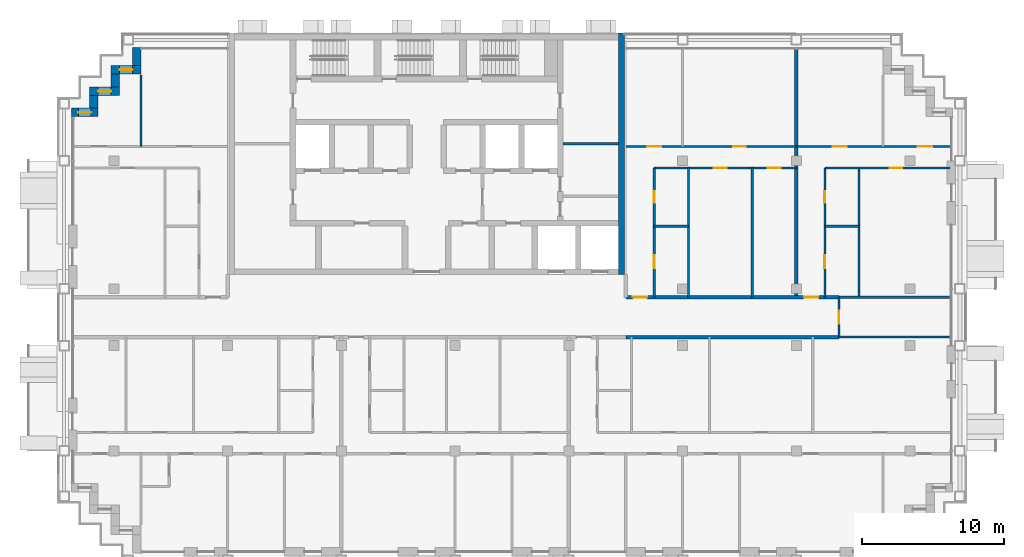
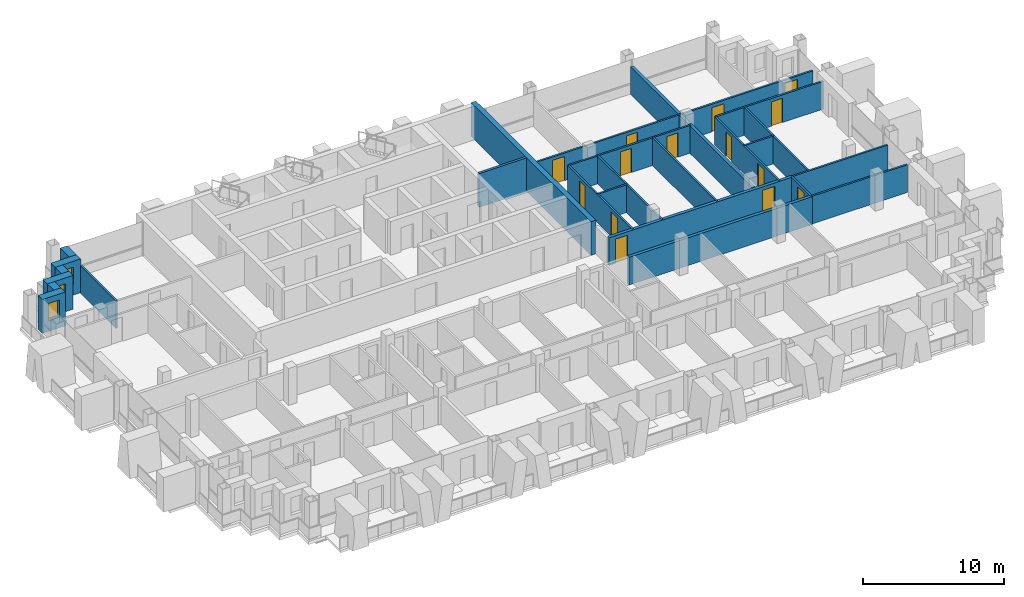
# One storey, part 11 of 16: 26 walls, 14 doors, 3 windows, 17 openings.
"""IFC4 building model written with IfcOpenShell, lengths in metres."""

from ifc_helpers import new_model, si_unit, direction, frame, frame_2d, origin, place, context, subcontext, project, spatial, rectangle, extrude, material, layer, layer_set, type_object, element, fill, save


model = new_model("IFC4")

# Units and contexts
model_context = context("Model", 3, precision=1e-05, world=origin(), true_north=direction((0.0, 1.0)))
body_context = subcontext(model_context, "Body", "Model", "MODEL_VIEW")
ifc_project = project(units=[si_unit("LENGTHUNIT", "METRE"), si_unit("AREAUNIT", "SQUARE_METRE"), si_unit("VOLUMEUNIT", "CUBIC_METRE"), si_unit("PLANEANGLEUNIT", "RADIAN"), si_unit("MASSUNIT", "GRAM", prefix="KILO")], contexts=[model_context])

# Site, building, storey
site_placement = place(None, origin())
site = spatial("IfcSite", under=ifc_project, at=site_placement, CompositionType="ELEMENT")
building_placement = place(site_placement, origin())
building = spatial("IfcBuilding", under=site, at=building_placement, Name="Vidyagriha Tower", CompositionType="ELEMENT")
storey_placement = place(building_placement, frame((0.0, 0.0, 171.699951171875)))
storey = spatial("IfcBuildingStorey", under=building, at=storey_placement, Name="L44", CompositionType="ELEMENT", Elevation=171.699951171875)

# Wall
ifc_material_1 = material(Name="Precast concrete C40/50 with brick facing", Category="concrete")
ifc_layer_1 = layer(ifc_material_1, 0.60009765625)
ifc_layer_set_1 = layer_set([ifc_layer_1], Name="Precast concrete C40/50 with brick facing")
wall_type_1 = type_object("IfcWallType", Name="Brick-faced precast wall 600", PredefinedType="STANDARD", material=ifc_layer_set_1)
wall_1_placement = place(storey_placement, frame((-20.39990234375, 18.97998046875, 0.0), z_axis=(0.0, 0.0, 1.0), x_axis=(0.0, -1.0, 0.0)))
element("IfcWall", 1, at=wall_1_placement, inside=storey, type_object=wall_type_1, Name="Stepped corner wall L44 R10", PredefinedType="STANDARD", context=body_context, shape_type="SweptSolid", body=[
    extrude(rectangle(XDim=1.280029296875, YDim=0.60009765625, at=frame_2d((0.64013671875, 0.0))), origin(), (0.0, 0.0, 1.0), 2.920166015625),
])

# Wall, opening, window
wall_2_placement = place(storey_placement, frame((-20.10009765625, 17.39990234375, 0.0), z_axis=(0.0, 0.0, 1.0), x_axis=(-1.0, 0.0, 0.0)))
wall_2 = element("IfcWall", 2, at=wall_2_placement, inside=storey, type_object=wall_type_1, Name="Stepped corner wall L44 R11", PredefinedType="STANDARD", context=body_context, shape_type="SweptSolid", body=[
    extrude(rectangle(XDim=2.099853515625, YDim=0.60009765625, at=frame_2d((1.0498046875, 0.0))), origin(), (0.0, 0.0, 1.0), 2.920166015625),
])
opening_1_placement = place(wall_2_placement, frame((0.60009765625, 0.0, 0.89990234375)))
opening_1 = element("IfcOpeningElement", 3, at=opening_1_placement, cuts=wall_2, Name="Opening WN1", PredefinedType="OPENING", context=body_context, shape_type="SweptSolid", body=[
    extrude(rectangle(XDim=0.89990234375, YDim=1.5, at=frame_2d((0.449951171875, 0.75))), frame((0.0, 0.31005859375, 0.0), z_axis=(0.0, -1.0, 0.0), x_axis=(1.0, 0.0, 0.0)), (0.0, 0.0, 1.0), 0.6201171875),
])
ifc_material_2 = material(Name="Aluminium and glass window", Category="aluminium")
window_type = type_object("IfcWindowType", Name="Reveal window 900x1500", PartitioningType="NOTDEFINED", PredefinedType="WINDOW", material=ifc_material_2)
window_1_placement = place(opening_1_placement, origin())
window_1 = element("IfcWindow", 4, at=window_1_placement, inside=storey, type_object=window_type, Name="Reveal window L44 R11", OverallHeight=1.5, OverallWidth=0.89990234375, PartitioningType="SINGLE_PANEL", PredefinedType="WINDOW", context=body_context, shape_type="SweptSolid", body=[
    extrude(rectangle(XDim=0.89990234375, YDim=1.5, at=frame_2d((0.449951171875, 0.75))), frame((0.0, 0.030029296875, 0.0), z_axis=(0.0, -1.0, 0.0), x_axis=(1.0, 0.0, 0.0)), (0.0, 0.0, 1.0), 0.06005859375),
])
fill(opening_1, window_1)

# Wall
wall_3_placement = place(storey_placement, frame((-21.89990234375, 17.10009765625, 0.0), z_axis=(0.0, 0.0, 1.0), x_axis=(0.0, -1.0, 0.0)))
element("IfcWall", 5, at=wall_3_placement, inside=storey, type_object=wall_type_1, Name="Stepped corner wall L44 R12", PredefinedType="STANDARD", context=body_context, shape_type="SweptSolid", body=[
    extrude(rectangle(XDim=0.900146484375, YDim=0.60009765625, at=frame_2d((0.4501953125, 0.0))), origin(), (0.0, 0.0, 1.0), 2.920166015625),
])

# Wall, opening, window
wall_4_placement = place(storey_placement, frame((-21.60009765625, 15.89990234375, 0.0), z_axis=(0.0, 0.0, 1.0), x_axis=(-1.0, 0.0, 0.0)))
wall_4 = element("IfcWall", 6, at=wall_4_placement, inside=storey, type_object=wall_type_1, Name="Stepped corner wall L44 R13", PredefinedType="STANDARD", context=body_context, shape_type="SweptSolid", body=[
    extrude(rectangle(XDim=2.099853515625, YDim=0.60009765625, at=frame_2d((1.0498046875, 0.0))), origin(), (0.0, 0.0, 1.0), 2.920166015625),
])
opening_2_placement = place(wall_4_placement, frame((0.60009765625, 0.0, 0.89990234375)))
opening_2 = element("IfcOpeningElement", 7, at=opening_2_placement, cuts=wall_4, Name="Opening WN1", PredefinedType="OPENING", context=body_context, shape_type="SweptSolid", body=[
    extrude(rectangle(XDim=0.89990234375, YDim=1.5, at=frame_2d((0.449951171875, 0.75))), frame((0.0, 0.31005859375, 0.0), z_axis=(0.0, -1.0, 0.0), x_axis=(1.0, 0.0, 0.0)), (0.0, 0.0, 1.0), 0.6201171875),
])
window_2_placement = place(opening_2_placement, origin())
window_2 = element("IfcWindow", 8, at=window_2_placement, inside=storey, type_object=window_type, Name="Reveal window L44 R13", OverallHeight=1.5, OverallWidth=0.89990234375, PartitioningType="SINGLE_PANEL", PredefinedType="WINDOW", context=body_context, shape_type="SweptSolid", body=[
    extrude(rectangle(XDim=0.89990234375, YDim=1.5, at=frame_2d((0.449951171875, 0.75))), frame((0.0, 0.030029296875, 0.0), z_axis=(0.0, -1.0, 0.0), x_axis=(1.0, 0.0, 0.0)), (0.0, 0.0, 1.0), 0.06005859375),
])
fill(opening_2, window_2)

# Wall
wall_5_placement = place(storey_placement, frame((-23.39990234375, 15.60009765625, 0.0), z_axis=(0.0, 0.0, 1.0), x_axis=(0.0, -1.0, 0.0)))
element("IfcWall", 9, at=wall_5_placement, inside=storey, type_object=wall_type_1, Name="Stepped corner wall L44 R14", PredefinedType="STANDARD", context=body_context, shape_type="SweptSolid", body=[
    extrude(rectangle(XDim=0.900146484375, YDim=0.60009765625, at=frame_2d((0.4501953125, 0.0))), origin(), (0.0, 0.0, 1.0), 2.920166015625),
])

# Wall, opening, window
wall_6_placement = place(storey_placement, frame((-23.10009765625, 14.39990234375, 0.0), z_axis=(0.0, 0.0, 1.0), x_axis=(-1.0, 0.0, 0.0)))
wall_6 = element("IfcWall", 10, at=wall_6_placement, inside=storey, type_object=wall_type_1, Name="Stepped corner wall L44 R15", PredefinedType="STANDARD", context=body_context, shape_type="SweptSolid", body=[
    extrude(rectangle(XDim=1.8798828125, YDim=0.60009765625, at=frame_2d((0.93994140625, 0.0))), origin(), (0.0, 0.0, 1.0), 2.920166015625),
])
opening_3_placement = place(wall_6_placement, frame((0.489990234375, 0.0, 0.89990234375)))
opening_3 = element("IfcOpeningElement", 11, at=opening_3_placement, cuts=wall_6, Name="Opening WN1", PredefinedType="OPENING", context=body_context, shape_type="SweptSolid", body=[
    extrude(rectangle(XDim=0.89990234375, YDim=1.5, at=frame_2d((0.449951171875, 0.75))), frame((0.0, 0.31005859375, 0.0), z_axis=(0.0, -1.0, 0.0), x_axis=(1.0, 0.0, 0.0)), (0.0, 0.0, 1.0), 0.6201171875),
])
window_3_placement = place(opening_3_placement, origin())
window_3 = element("IfcWindow", 12, at=window_3_placement, inside=storey, type_object=window_type, Name="Reveal window L44 R15", OverallHeight=1.5, OverallWidth=0.89990234375, PartitioningType="SINGLE_PANEL", PredefinedType="WINDOW", context=body_context, shape_type="SweptSolid", body=[
    extrude(rectangle(XDim=0.89990234375, YDim=1.5, at=frame_2d((0.449951171875, 0.75))), frame((0.0, 0.030029296875, 0.0), z_axis=(0.0, -1.0, 0.0), x_axis=(1.0, 0.0, 0.0)), (0.0, 0.0, 1.0), 0.06005859375),
])
fill(opening_3, window_3)

# Walls
ifc_material_3 = material(Name="Concrete C60/75", Category="concrete")
ifc_layer_2 = layer(ifc_material_3, 0.39990234375)
ifc_layer_set_2 = layer_set([ifc_layer_2], Name="Concrete C60/75")
wall_type_2 = type_object("IfcWallType", Name="Core shear wall 400 mm", PredefinedType="SHEAR", material=ifc_layer_set_2)
wall_7_placement = place(storey_placement, frame((13.699951171875, 3.0, 0.0), z_axis=(0.0, 0.0, 1.0), x_axis=(0.0, 1.0, 0.0)))
element("IfcWall", 13, at=wall_7_placement, inside=storey, type_object=wall_type_2, Name="Core east wall", PredefinedType="SHEAR", context=body_context, shape_type="SweptSolid", body=[
    extrude(rectangle(XDim=17.0, YDim=0.39990234375, at=frame_2d((8.5, 0.0))), origin(), (0.0, 0.0, 1.0), 2.920166015625),
])
ifc_material_4 = material(Name="Fired clay brick masonry", Category="masonry")
ifc_layer_3 = layer(ifc_material_4, 0.25)
ifc_layer_set_3 = layer_set([ifc_layer_3], Name="Fired clay brick masonry")
wall_type_3 = type_object("IfcWallType", Name="Fired clay brick corridor wall 250", PredefinedType="PARTITIONING", material=ifc_layer_set_3)
wall_8_placement = place(storey_placement, frame((29.0, -1.39990234375, 0.0), z_axis=(0.0, 0.0, 1.0), x_axis=(-1.0, 0.0, 0.0)))
element("IfcWall", 14, at=wall_8_placement, inside=storey, type_object=wall_type_3, Name="Wall all-L44-w067", PredefinedType="PARTITIONING", context=body_context, shape_type="SweptSolid", body=[
    extrude(rectangle(XDim=15.0, YDim=0.25, at=frame_2d((7.5, 0.0))), origin(), (0.0, 0.0, 1.0), 2.400146484375),
])

# Wall, openings, doors
wall_9_placement = place(storey_placement, frame((14.0, 1.39990234375, 0.0)))
wall_9 = element("IfcWall", 15, at=wall_9_placement, inside=storey, type_object=wall_type_3, Name="Wall all-L44-w109", PredefinedType="PARTITIONING", context=body_context, shape_type="SweptSolid", body=[
    extrude(rectangle(XDim=15.0, YDim=0.25, at=frame_2d((7.5, 0.0))), origin(), (0.0, 0.0, 1.0), 2.400146484375),
])
opening_4_placement = place(wall_9_placement, frame((0.5, 0.0, 0.0)))
opening_4 = element("IfcOpeningElement", 16, at=opening_4_placement, cuts=wall_9, Name="Opening D44-60", PredefinedType="OPENING", context=body_context, shape_type="SweptSolid", body=[
    extrude(rectangle(XDim=1.0, YDim=2.10009765625, at=frame_2d((0.5, 1.050048828125))), frame((0.0, 0.135009765625, 0.0), z_axis=(0.0, -1.0, 0.0), x_axis=(1.0, 0.0, 0.0)), (0.0, 0.0, 1.0), 0.27001953125),
])
opening_5_placement = place(wall_9_placement, frame((12.547119140625, 0.0, 0.0)))
opening_5 = element("IfcOpeningElement", 17, at=opening_5_placement, cuts=wall_9, Name="Opening D44-66", PredefinedType="OPENING", context=body_context, shape_type="SweptSolid", body=[
    extrude(rectangle(XDim=1.0, YDim=2.10009765625, at=frame_2d((0.5, 1.050048828125))), frame((0.0, 0.135009765625, 0.0), z_axis=(0.0, -1.0, 0.0), x_axis=(1.0, 0.0, 0.0)), (0.0, 0.0, 1.0), 0.27001953125),
])
ifc_material_5 = material(Name="Fire-rated timber door leaf EI 60", Category="wood")
door_type_1 = type_object("IfcDoorType", Name="Flat entrance fire door 1000x2100", OperationType="NOTDEFINED", PredefinedType="DOOR", material=ifc_material_5)
door_1_placement = place(opening_4_placement, origin())
door_1 = element("IfcDoor", 18, at=door_1_placement, inside=storey, type_object=door_type_1, Name="Door D44-60", OperationType="SINGLE_SWING_LEFT", OverallHeight=2.10009765625, OverallWidth=1.0, PredefinedType="DOOR", context=body_context, shape_type="SweptSolid", body=[
    extrude(rectangle(XDim=1.0, YDim=2.10009765625, at=frame_2d((0.5, 1.050048828125))), frame((0.0, 0.02490234375, 0.0), z_axis=(0.0, -1.0, 0.0), x_axis=(1.0, 0.0, 0.0)), (0.0, 0.0, 1.0), 0.050048828125),
])
fill(opening_4, door_1)
door_2_placement = place(opening_5_placement, origin())
door_2 = element("IfcDoor", 19, at=door_2_placement, inside=storey, type_object=door_type_1, Name="Door D44-66", OperationType="SINGLE_SWING_LEFT", OverallHeight=2.10009765625, OverallWidth=1.0, PredefinedType="DOOR", context=body_context, shape_type="SweptSolid", body=[
    extrude(rectangle(XDim=1.0, YDim=2.10009765625, at=frame_2d((0.5, 1.050048828125))), frame((0.0, 0.02490234375, 0.0), z_axis=(0.0, -1.0, 0.0), x_axis=(1.0, 0.0, 0.0)), (0.0, 0.0, 1.0), 0.050048828125),
])
fill(opening_5, door_2)

# Walls
ifc_material_6 = material(Name="Fired clay brick masonry", Category="masonry")
ifc_layer_4 = layer(ifc_material_6, 0.25)
ifc_layer_set_4 = layer_set([ifc_layer_4], Name="Fired clay brick masonry")
wall_type_4 = type_object("IfcWallType", Name="Fired clay brick demising wall 250", PredefinedType="PARTITIONING", material=ifc_layer_set_4)
wall_10_placement = place(storey_placement, frame((26.0, 18.821044921875, 0.0), z_axis=(0.0, 0.0, 1.0), x_axis=(0.0, -1.0, 0.0)))
element("IfcWall", 20, at=wall_10_placement, inside=storey, type_object=wall_type_4, Name="Wall all-L44-w108", PredefinedType="PARTITIONING", context=body_context, shape_type="SweptSolid", body=[
    extrude(rectangle(XDim=17.421142578125, YDim=0.25, at=frame_2d((8.71044921875, 0.0))), origin(), (0.0, 0.0, 1.0), 2.400146484375),
])
ifc_material_7 = material(Name="Gypsum board partition")
ifc_layer_5 = layer(ifc_material_7, 0.14990234375)
ifc_layer_set_5 = layer_set([ifc_layer_5], Name="Gypsum board partition")
wall_type_5 = type_object("IfcWallType", Name="Gypsum board partition 150", PredefinedType="PARTITIONING", material=ifc_layer_set_5)
wall_11_placement = place(storey_placement, frame((36.820068359375, -1.39990234375, 0.0), z_axis=(0.0, 0.0, 1.0), x_axis=(-1.0, 0.0, 0.0)))
element("IfcWall", 21, at=wall_11_placement, inside=storey, type_object=wall_type_5, Name="Wall all-L44-w068", PredefinedType="PARTITIONING", context=body_context, shape_type="SweptSolid", body=[
    extrude(rectangle(XDim=7.820068359375, YDim=0.14990234375, at=frame_2d((3.91015625, 0.0))), origin(), (0.0, 0.0, 1.0), 2.400146484375),
])
wall_12_placement = place(storey_placement, frame((-20.10009765625, 17.02001953125, 0.0), z_axis=(0.0, 0.0, 1.0), x_axis=(0.0, -1.0, 0.0)))
element("IfcWall", 22, at=wall_12_placement, inside=storey, type_object=wall_type_5, Name="Wall all-L44-w079", PredefinedType="PARTITIONING", context=body_context, shape_type="SweptSolid", body=[
    extrude(rectangle(XDim=5.02001953125, YDim=0.14990234375, at=frame_2d((2.510009765625, 0.0))), origin(), (0.0, 0.0, 1.0), 2.400146484375),
])
wall_13_placement = place(storey_placement, frame((16.0, 6.39990234375, 0.0)))
element("IfcWall", 23, at=wall_13_placement, inside=storey, type_object=wall_type_5, Name="Wall all-L44-w085", PredefinedType="PARTITIONING", context=body_context, shape_type="SweptSolid", body=[
    extrude(rectangle(XDim=2.39990234375, YDim=0.14990234375, at=frame_2d((1.199951171875, 0.0))), origin(), (0.0, 0.0, 1.0), 2.400146484375),
])
for number, where, z_axis, x_axis, name in (
    (24, (18.39990234375, 10.5, 0.0), (0.0, 0.0, 1.0), (0.0, -1.0, 0.0), "Wall all-L44-w086"),
    (25, (22.89990234375, 10.5, 0.0), (0.0, 0.0, 1.0), (0.0, -1.0, 0.0), "Wall all-L44-w087"),
):
    element("IfcWall", number, at=place(storey_placement, frame(where, z_axis=z_axis, x_axis=x_axis)), inside=storey, type_object=wall_type_5, Name=name, PredefinedType="PARTITIONING", context=body_context, shape_type="SweptSolid", body=[
        extrude(rectangle(XDim=9.10009765625, YDim=0.14990234375, at=frame_2d((4.550048828125, 0.0))), origin(), (0.0, 0.0, 1.0), 2.400146484375),
    ])

# Wall, openings, doors
wall_14_placement = place(storey_placement, frame((26.0, 10.5, 0.0), z_axis=(0.0, 0.0, 1.0), x_axis=(-1.0, 0.0, 0.0)))
wall_14 = element("IfcWall", 26, at=wall_14_placement, inside=storey, type_object=wall_type_5, Name="Wall all-L44-w088", PredefinedType="PARTITIONING", context=body_context, shape_type="SweptSolid", body=[
    extrude(rectangle(XDim=10.0, YDim=0.14990234375, at=frame_2d((5.0, 0.0))), origin(), (0.0, 0.0, 1.0), 2.400146484375),
])
opening_6_placement = place(wall_14_placement, frame((4.89990234375, 0.0, 0.0)))
opening_6 = element("IfcOpeningElement", 27, at=opening_6_placement, cuts=wall_14, Name="Opening D44-56", PredefinedType="OPENING", context=body_context, shape_type="SweptSolid", body=[
    extrude(rectangle(XDim=0.89990234375, YDim=2.10009765625, at=frame_2d((0.449951171875, 1.050048828125))), frame((0.0, 0.0849609375, 0.0), z_axis=(0.0, -1.0, 0.0), x_axis=(1.0, 0.0, 0.0)), (0.0, 0.0, 1.0), 0.169921875),
])
opening_7_placement = place(wall_14_placement, frame((1.10009765625, 0.0, 0.0)))
opening_7 = element("IfcOpeningElement", 28, at=opening_7_placement, cuts=wall_14, Name="Opening D44-57", PredefinedType="OPENING", context=body_context, shape_type="SweptSolid", body=[
    extrude(rectangle(XDim=0.89990234375, YDim=2.10009765625, at=frame_2d((0.449951171875, 1.050048828125))), frame((0.0, 0.0849609375, 0.0), z_axis=(0.0, -1.0, 0.0), x_axis=(1.0, 0.0, 0.0)), (0.0, 0.0, 1.0), 0.169921875),
])
ifc_material_8 = material(Name="Timber door leaf", Category="wood")
door_type_2 = type_object("IfcDoorType", Name="Room door 900x2100", OperationType="NOTDEFINED", PredefinedType="DOOR", material=ifc_material_8)
door_3_placement = place(opening_6_placement, origin())
door_3 = element("IfcDoor", 29, at=door_3_placement, inside=storey, type_object=door_type_2, Name="Door D44-56", OperationType="SINGLE_SWING_RIGHT", OverallHeight=2.10009765625, OverallWidth=0.89990234375, PredefinedType="DOOR", context=body_context, shape_type="SweptSolid", body=[
    extrude(rectangle(XDim=0.89990234375, YDim=2.10009765625, at=frame_2d((0.449951171875, 1.050048828125))), frame((0.0, 0.02490234375, 0.0), z_axis=(0.0, -1.0, 0.0), x_axis=(1.0, 0.0, 0.0)), (0.0, 0.0, 1.0), 0.050048828125),
])
fill(opening_6, door_3)
door_4_placement = place(opening_7_placement, origin())
door_4 = element("IfcDoor", 30, at=door_4_placement, inside=storey, type_object=door_type_2, Name="Door D44-57", OperationType="SINGLE_SWING_RIGHT", OverallHeight=2.10009765625, OverallWidth=0.89990234375, PredefinedType="DOOR", context=body_context, shape_type="SweptSolid", body=[
    extrude(rectangle(XDim=0.89990234375, YDim=2.10009765625, at=frame_2d((0.449951171875, 1.050048828125))), frame((0.0, 0.02490234375, 0.0), z_axis=(0.0, -1.0, 0.0), x_axis=(1.0, 0.0, 0.0)), (0.0, 0.0, 1.0), 0.050048828125),
])
fill(opening_7, door_4)

wall_15_placement = place(storey_placement, frame((14.0, 12.0, 0.0)))
wall_15 = element("IfcWall", 31, at=wall_15_placement, inside=storey, type_object=wall_type_5, Name="Wall all-L44-w091", PredefinedType="PARTITIONING", context=body_context, shape_type="SweptSolid", body=[
    extrude(rectangle(XDim=12.0, YDim=0.14990234375, at=frame_2d((6.0, 0.0))), origin(), (0.0, 0.0, 1.0), 2.400146484375),
])
opening_8_placement = place(wall_15_placement, frame((1.5, 0.0, 0.0)))
opening_8 = element("IfcOpeningElement", 32, at=opening_8_placement, cuts=wall_15, Name="Opening D44-58", PredefinedType="OPENING", context=body_context, shape_type="SweptSolid", body=[
    extrude(rectangle(XDim=1.0, YDim=2.10009765625, at=frame_2d((0.5, 1.050048828125))), frame((0.0, 0.0849609375, 0.0), z_axis=(0.0, -1.0, 0.0), x_axis=(1.0, 0.0, 0.0)), (0.0, 0.0, 1.0), 0.169921875),
])
opening_9_placement = place(wall_15_placement, frame((7.550048828125, 0.0, 0.0)))
opening_9 = element("IfcOpeningElement", 33, at=opening_9_placement, cuts=wall_15, Name="Opening D44-59", PredefinedType="OPENING", context=body_context, shape_type="SweptSolid", body=[
    extrude(rectangle(XDim=0.89990234375, YDim=2.10009765625, at=frame_2d((0.449951171875, 1.050048828125))), frame((0.0, 0.0849609375, 0.0), z_axis=(0.0, -1.0, 0.0), x_axis=(1.0, 0.0, 0.0)), (0.0, 0.0, 1.0), 0.169921875),
])
ifc_material_9 = material(Name="Timber door leaf", Category="wood")
door_type_3 = type_object("IfcDoorType", Name="Room door 1000x2100", OperationType="NOTDEFINED", PredefinedType="DOOR", material=ifc_material_9)
door_5_placement = place(opening_8_placement, origin())
door_5 = element("IfcDoor", 34, at=door_5_placement, inside=storey, type_object=door_type_3, Name="Door D44-58", OperationType="SINGLE_SWING_RIGHT", OverallHeight=2.10009765625, OverallWidth=1.0, PredefinedType="DOOR", context=body_context, shape_type="SweptSolid", body=[
    extrude(rectangle(XDim=1.0, YDim=2.10009765625, at=frame_2d((0.5, 1.050048828125))), frame((0.0, 0.02490234375, 0.0), z_axis=(0.0, -1.0, 0.0), x_axis=(1.0, 0.0, 0.0)), (0.0, 0.0, 1.0), 0.050048828125),
])
fill(opening_8, door_5)
door_6_placement = place(opening_9_placement, origin())
door_6 = element("IfcDoor", 35, at=door_6_placement, inside=storey, type_object=door_type_2, Name="Door D44-59", OperationType="SINGLE_SWING_RIGHT", OverallHeight=2.10009765625, OverallWidth=0.89990234375, PredefinedType="DOOR", context=body_context, shape_type="SweptSolid", body=[
    extrude(rectangle(XDim=0.89990234375, YDim=2.10009765625, at=frame_2d((0.449951171875, 1.050048828125))), frame((0.0, 0.02490234375, 0.0), z_axis=(0.0, -1.0, 0.0), x_axis=(1.0, 0.0, 0.0)), (0.0, 0.0, 1.0), 0.050048828125),
])
fill(opening_9, door_6)

# Walls
wall_16_placement = place(storey_placement, frame((28.0, 6.39990234375, 0.0)))
element("IfcWall", 36, at=wall_16_placement, inside=storey, type_object=wall_type_5, Name="Wall all-L44-w099", PredefinedType="PARTITIONING", context=body_context, shape_type="SweptSolid", body=[
    extrude(rectangle(XDim=2.39990234375, YDim=0.14990234375, at=frame_2d((1.199951171875, 0.0))), origin(), (0.0, 0.0, 1.0), 2.400146484375),
])
wall_17_placement = place(storey_placement, frame((30.39990234375, 10.5, 0.0), z_axis=(0.0, 0.0, 1.0), x_axis=(0.0, -1.0, 0.0)))
element("IfcWall", 37, at=wall_17_placement, inside=storey, type_object=wall_type_5, Name="Wall all-L44-w100", PredefinedType="PARTITIONING", context=body_context, shape_type="SweptSolid", body=[
    extrude(rectangle(XDim=9.10009765625, YDim=0.14990234375, at=frame_2d((4.550048828125, 0.0))), origin(), (0.0, 0.0, 1.0), 2.400146484375),
])

# Wall, opening, door
wall_18_placement = place(storey_placement, frame((36.81005859375, 10.5, 0.0), z_axis=(0.0, 0.0, 1.0), x_axis=(-1.0, 0.0, 0.0)))
wall_18 = element("IfcWall", 38, at=wall_18_placement, inside=storey, type_object=wall_type_5, Name="Wall all-L44-w101", PredefinedType="PARTITIONING", context=body_context, shape_type="SweptSolid", body=[
    extrude(rectangle(XDim=8.81005859375, YDim=0.14990234375, at=frame_2d((4.405029296875, 0.0))), origin(), (0.0, 0.0, 1.0), 2.400146484375),
])
opening_10_placement = place(wall_18_placement, frame((3.35693359375, 0.0, 0.0)))
opening_10 = element("IfcOpeningElement", 39, at=opening_10_placement, cuts=wall_18, Name="Opening D44-63", PredefinedType="OPENING", context=body_context, shape_type="SweptSolid", body=[
    extrude(rectangle(XDim=0.89990234375, YDim=2.10009765625, at=frame_2d((0.449951171875, 1.050048828125))), frame((0.0, 0.0849609375, 0.0), z_axis=(0.0, -1.0, 0.0), x_axis=(1.0, 0.0, 0.0)), (0.0, 0.0, 1.0), 0.169921875),
])
door_7_placement = place(opening_10_placement, origin())
door_7 = element("IfcDoor", 40, at=door_7_placement, inside=storey, type_object=door_type_2, Name="Door D44-63", OperationType="SINGLE_SWING_RIGHT", OverallHeight=2.10009765625, OverallWidth=0.89990234375, PredefinedType="DOOR", context=body_context, shape_type="SweptSolid", body=[
    extrude(rectangle(XDim=0.89990234375, YDim=2.10009765625, at=frame_2d((0.449951171875, 1.050048828125))), frame((0.0, 0.02490234375, 0.0), z_axis=(0.0, -1.0, 0.0), x_axis=(1.0, 0.0, 0.0)), (0.0, 0.0, 1.0), 0.050048828125),
])
fill(opening_10, door_7)

# Wall, openings, doors
wall_19_placement = place(storey_placement, frame((26.0, 12.0, 0.0)))
wall_19 = element("IfcWall", 41, at=wall_19_placement, inside=storey, type_object=wall_type_5, Name="Wall all-L44-w103", PredefinedType="PARTITIONING", context=body_context, shape_type="SweptSolid", body=[
    extrude(rectangle(XDim=10.820068359375, YDim=0.14990234375, at=frame_2d((5.41015625, 0.0))), origin(), (0.0, 0.0, 1.0), 2.400146484375),
])
opening_11_placement = place(wall_19_placement, frame((2.550048828125, 0.0, 0.0)))
opening_11 = element("IfcOpeningElement", 42, at=opening_11_placement, cuts=wall_19, Name="Opening D44-64", PredefinedType="OPENING", context=body_context, shape_type="SweptSolid", body=[
    extrude(rectangle(XDim=1.0, YDim=2.10009765625, at=frame_2d((0.5, 1.050048828125))), frame((0.0, 0.0849609375, 0.0), z_axis=(0.0, -1.0, 0.0), x_axis=(1.0, 0.0, 0.0)), (0.0, 0.0, 1.0), 0.169921875),
])
opening_12_placement = place(wall_19_placement, frame((8.547119140625, 0.0, 0.0)))
opening_12 = element("IfcOpeningElement", 43, at=opening_12_placement, cuts=wall_19, Name="Opening D44-65", PredefinedType="OPENING", context=body_context, shape_type="SweptSolid", body=[
    extrude(rectangle(XDim=1.0, YDim=2.10009765625, at=frame_2d((0.5, 1.050048828125))), frame((0.0, 0.0849609375, 0.0), z_axis=(0.0, -1.0, 0.0), x_axis=(1.0, 0.0, 0.0)), (0.0, 0.0, 1.0), 0.169921875),
])
door_8_placement = place(opening_11_placement, origin())
door_8 = element("IfcDoor", 44, at=door_8_placement, inside=storey, type_object=door_type_3, Name="Door D44-64", OperationType="SINGLE_SWING_RIGHT", OverallHeight=2.10009765625, OverallWidth=1.0, PredefinedType="DOOR", context=body_context, shape_type="SweptSolid", body=[
    extrude(rectangle(XDim=1.0, YDim=2.10009765625, at=frame_2d((0.5, 1.050048828125))), frame((0.0, 0.02490234375, 0.0), z_axis=(0.0, -1.0, 0.0), x_axis=(1.0, 0.0, 0.0)), (0.0, 0.0, 1.0), 0.050048828125),
])
fill(opening_11, door_8)
door_9_placement = place(opening_12_placement, origin())
door_9 = element("IfcDoor", 45, at=door_9_placement, inside=storey, type_object=door_type_3, Name="Door D44-65", OperationType="SINGLE_SWING_RIGHT", OverallHeight=2.10009765625, OverallWidth=1.0, PredefinedType="DOOR", context=body_context, shape_type="SweptSolid", body=[
    extrude(rectangle(XDim=1.0, YDim=2.10009765625, at=frame_2d((0.5, 1.050048828125))), frame((0.0, 0.02490234375, 0.0), z_axis=(0.0, -1.0, 0.0), x_axis=(1.0, 0.0, 0.0)), (0.0, 0.0, 1.0), 0.050048828125),
])
fill(opening_12, door_9)

# Wall
wall_20_placement = place(storey_placement, frame((29.0, 1.39990234375, 0.0)))
element("IfcWall", 46, at=wall_20_placement, inside=storey, type_object=wall_type_5, Name="Wall all-L44-w110", PredefinedType="PARTITIONING", context=body_context, shape_type="SweptSolid", body=[
    extrude(rectangle(XDim=7.820068359375, YDim=0.14990234375, at=frame_2d((3.91015625, 0.0))), origin(), (0.0, 0.0, 1.0), 2.400146484375),
])

# Wall, opening, door
wall_21_placement = place(storey_placement, frame((29.0, -1.39990234375, 0.0), z_axis=(0.0, 0.0, 1.0), x_axis=(0.0, 1.0, 0.0)))
wall_21 = element("IfcWall", 47, at=wall_21_placement, inside=storey, type_object=wall_type_5, Name="Wall all-L44-w111", PredefinedType="PARTITIONING", context=body_context, shape_type="SweptSolid", body=[
    extrude(rectangle(XDim=2.7998046875, YDim=0.14990234375, at=frame_2d((1.39990234375, 0.0))), origin(), (0.0, 0.0, 1.0), 2.400146484375),
])
opening_13_placement = place(wall_21_placement, frame((0.949951171875, 0.0, 0.0)))
opening_13 = element("IfcOpeningElement", 48, at=opening_13_placement, cuts=wall_21, Name="Opening D44-67", PredefinedType="OPENING", context=body_context, shape_type="SweptSolid", body=[
    extrude(rectangle(XDim=0.89990234375, YDim=2.10009765625, at=frame_2d((0.449951171875, 1.050048828125))), frame((0.0, 0.0849609375, 0.0), z_axis=(0.0, -1.0, 0.0), x_axis=(1.0, 0.0, 0.0)), (0.0, 0.0, 1.0), 0.169921875),
])
door_10_placement = place(opening_13_placement, origin())
door_10 = element("IfcDoor", 49, at=door_10_placement, inside=storey, type_object=door_type_2, Name="Door D44-67", OperationType="SINGLE_SWING_RIGHT", OverallHeight=2.10009765625, OverallWidth=0.89990234375, PredefinedType="DOOR", context=body_context, shape_type="SweptSolid", body=[
    extrude(rectangle(XDim=0.89990234375, YDim=2.10009765625, at=frame_2d((0.449951171875, 1.050048828125))), frame((0.0, 0.02490234375, 0.0), z_axis=(0.0, -1.0, 0.0), x_axis=(1.0, 0.0, 0.0)), (0.0, 0.0, 1.0), 0.050048828125),
])
fill(opening_13, door_10)

# Wall, openings, doors
ifc_material_10 = material(Name="Moisture resistant gypsum board partition")
ifc_layer_6 = layer(ifc_material_10, 0.14990234375)
ifc_layer_set_6 = layer_set([ifc_layer_6], Name="Moisture resistant gypsum board partition")
wall_type_6 = type_object("IfcWallType", Name="Gypsum board wet-area partition 150", PredefinedType="PARTITIONING", material=ifc_layer_set_6)
wall_22_placement = place(storey_placement, frame((16.0, 10.5, 0.0), z_axis=(0.0, 0.0, 1.0), x_axis=(0.0, -1.0, 0.0)))
wall_22 = element("IfcWall", 50, at=wall_22_placement, inside=storey, type_object=wall_type_6, Name="Wall all-L44-w082", PredefinedType="PARTITIONING", context=body_context, shape_type="SweptSolid", body=[
    extrude(rectangle(XDim=9.10009765625, YDim=0.14990234375, at=frame_2d((4.550048828125, 0.0))), origin(), (0.0, 0.0, 1.0), 2.400146484375),
])
opening_14_placement = place(wall_22_placement, frame((6.14990234375, 0.0, 0.0)))
opening_14 = element("IfcOpeningElement", 51, at=opening_14_placement, cuts=wall_22, Name="Opening D44-54", PredefinedType="OPENING", context=body_context, shape_type="SweptSolid", body=[
    extrude(rectangle(XDim=0.89990234375, YDim=2.10009765625, at=frame_2d((0.449951171875, 1.050048828125))), frame((0.0, 0.0849609375, 0.0), z_axis=(0.0, -1.0, 0.0), x_axis=(1.0, 0.0, 0.0)), (0.0, 0.0, 1.0), 0.169921875),
])
opening_15_placement = place(wall_22_placement, frame((1.64990234375, 0.0, 0.0)))
opening_15 = element("IfcOpeningElement", 52, at=opening_15_placement, cuts=wall_22, Name="Opening D44-55", PredefinedType="OPENING", context=body_context, shape_type="SweptSolid", body=[
    extrude(rectangle(XDim=0.800048828125, YDim=2.10009765625, at=frame_2d((0.39990234375, 1.050048828125))), frame((0.0, 0.0849609375, 0.0), z_axis=(0.0, -1.0, 0.0), x_axis=(1.0, 0.0, 0.0)), (0.0, 0.0, 1.0), 0.169921875),
])
ifc_material_11 = material(Name="Timber door leaf", Category="wood")
door_type_4 = type_object("IfcDoorType", Name="Bathroom door 800x2100", OperationType="NOTDEFINED", PredefinedType="DOOR", material=ifc_material_11)
door_11_placement = place(opening_15_placement, origin())
door_11 = element("IfcDoor", 53, at=door_11_placement, inside=storey, type_object=door_type_4, Name="Door D44-55", OperationType="SINGLE_SWING_RIGHT", OverallHeight=2.10009765625, OverallWidth=0.800048828125, PredefinedType="DOOR", context=body_context, shape_type="SweptSolid", body=[
    extrude(rectangle(XDim=0.800048828125, YDim=2.10009765625, at=frame_2d((0.39990234375, 1.050048828125))), frame((0.0, 0.02490234375, 0.0), z_axis=(0.0, -1.0, 0.0), x_axis=(1.0, 0.0, 0.0)), (0.0, 0.0, 1.0), 0.050048828125),
])
fill(opening_15, door_11)
ifc_material_12 = material(Name="Timber door leaf", Category="wood")
door_type_5 = type_object("IfcDoorType", Name="Kitchen door 900x2100", OperationType="NOTDEFINED", PredefinedType="DOOR", material=ifc_material_12)
door_12_placement = place(opening_14_placement, origin())
door_12 = element("IfcDoor", 54, at=door_12_placement, inside=storey, type_object=door_type_5, Name="Door D44-54", OperationType="SINGLE_SWING_LEFT", OverallHeight=2.10009765625, OverallWidth=0.89990234375, PredefinedType="DOOR", context=body_context, shape_type="SweptSolid", body=[
    extrude(rectangle(XDim=0.89990234375, YDim=2.10009765625, at=frame_2d((0.449951171875, 1.050048828125))), frame((0.0, 0.02490234375, 0.0), z_axis=(0.0, -1.0, 0.0), x_axis=(1.0, 0.0, 0.0)), (0.0, 0.0, 1.0), 0.050048828125),
])
fill(opening_14, door_12)

wall_23_placement = place(storey_placement, frame((28.0, 10.5, 0.0), z_axis=(0.0, 0.0, 1.0), x_axis=(0.0, -1.0, 0.0)))
wall_23 = element("IfcWall", 55, at=wall_23_placement, inside=storey, type_object=wall_type_6, Name="Wall all-L44-w096", PredefinedType="PARTITIONING", context=body_context, shape_type="SweptSolid", body=[
    extrude(rectangle(XDim=9.10009765625, YDim=0.14990234375, at=frame_2d((4.550048828125, 0.0))), origin(), (0.0, 0.0, 1.0), 2.400146484375),
])
opening_16_placement = place(wall_23_placement, frame((6.14990234375, 0.0, 0.0)))
opening_16 = element("IfcOpeningElement", 56, at=opening_16_placement, cuts=wall_23, Name="Opening D44-61", PredefinedType="OPENING", context=body_context, shape_type="SweptSolid", body=[
    extrude(rectangle(XDim=0.89990234375, YDim=2.10009765625, at=frame_2d((0.449951171875, 1.050048828125))), frame((0.0, 0.0849609375, 0.0), z_axis=(0.0, -1.0, 0.0), x_axis=(1.0, 0.0, 0.0)), (0.0, 0.0, 1.0), 0.169921875),
])
opening_17_placement = place(wall_23_placement, frame((1.64990234375, 0.0, 0.0)))
opening_17 = element("IfcOpeningElement", 57, at=opening_17_placement, cuts=wall_23, Name="Opening D44-62", PredefinedType="OPENING", context=body_context, shape_type="SweptSolid", body=[
    extrude(rectangle(XDim=0.800048828125, YDim=2.10009765625, at=frame_2d((0.39990234375, 1.050048828125))), frame((0.0, 0.0849609375, 0.0), z_axis=(0.0, -1.0, 0.0), x_axis=(1.0, 0.0, 0.0)), (0.0, 0.0, 1.0), 0.169921875),
])
door_13_placement = place(opening_17_placement, origin())
door_13 = element("IfcDoor", 58, at=door_13_placement, inside=storey, type_object=door_type_4, Name="Door D44-62", OperationType="SINGLE_SWING_RIGHT", OverallHeight=2.10009765625, OverallWidth=0.800048828125, PredefinedType="DOOR", context=body_context, shape_type="SweptSolid", body=[
    extrude(rectangle(XDim=0.800048828125, YDim=2.10009765625, at=frame_2d((0.39990234375, 1.050048828125))), frame((0.0, 0.02490234375, 0.0), z_axis=(0.0, -1.0, 0.0), x_axis=(1.0, 0.0, 0.0)), (0.0, 0.0, 1.0), 0.050048828125),
])
fill(opening_17, door_13)
door_14_placement = place(opening_16_placement, origin())
door_14 = element("IfcDoor", 59, at=door_14_placement, inside=storey, type_object=door_type_5, Name="Door D44-61", OperationType="SINGLE_SWING_LEFT", OverallHeight=2.10009765625, OverallWidth=0.89990234375, PredefinedType="DOOR", context=body_context, shape_type="SweptSolid", body=[
    extrude(rectangle(XDim=0.89990234375, YDim=2.10009765625, at=frame_2d((0.449951171875, 1.050048828125))), frame((0.0, 0.02490234375, 0.0), z_axis=(0.0, -1.0, 0.0), x_axis=(1.0, 0.0, 0.0)), (0.0, 0.0, 1.0), 0.050048828125),
])
fill(opening_16, door_14)

# Wall
ifc_material_13 = material(Name="Blockwork 15 MPa", Category="masonry")
ifc_layer_7 = layer(ifc_material_13, 0.199951171875)
ifc_layer_set_7 = layer_set([ifc_layer_7], Name="Blockwork 15 MPa")
wall_type_7 = type_object("IfcWallType", Name="Service room partition 200 mm", PredefinedType="PARTITIONING", material=ifc_layer_set_7)
wall_24_placement = place(storey_placement, frame((9.60009765625, 12.199951171875, 0.0)))
element("IfcWall", 60, at=wall_24_placement, inside=storey, type_object=wall_type_7, Name="Core room partition E2", PredefinedType="PARTITIONING", context=body_context, shape_type="SweptSolid", body=[
    extrude(rectangle(XDim=3.89990234375, YDim=0.199951171875, at=frame_2d((1.949951171875, 0.0))), origin(), (0.0, 0.0, 1.0), 2.920166015625),
])

save(model, "model.ifc")
